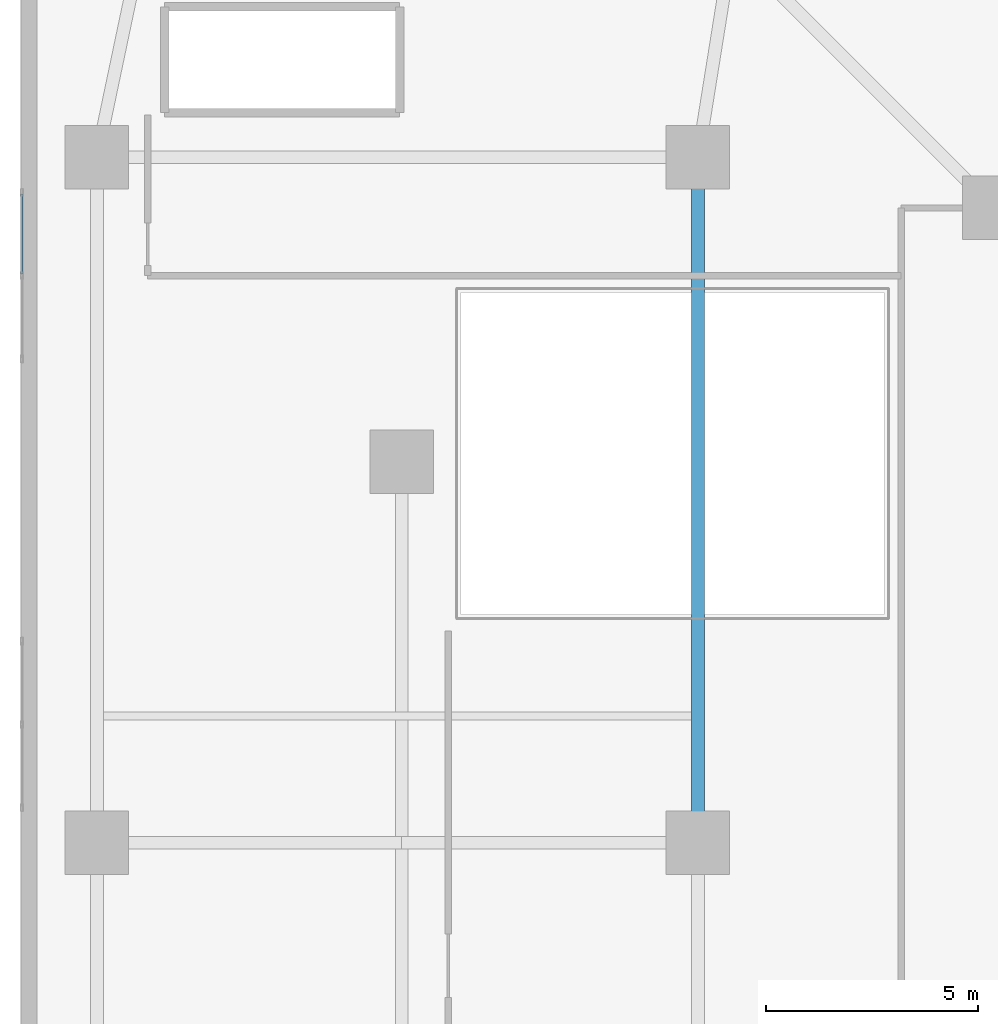
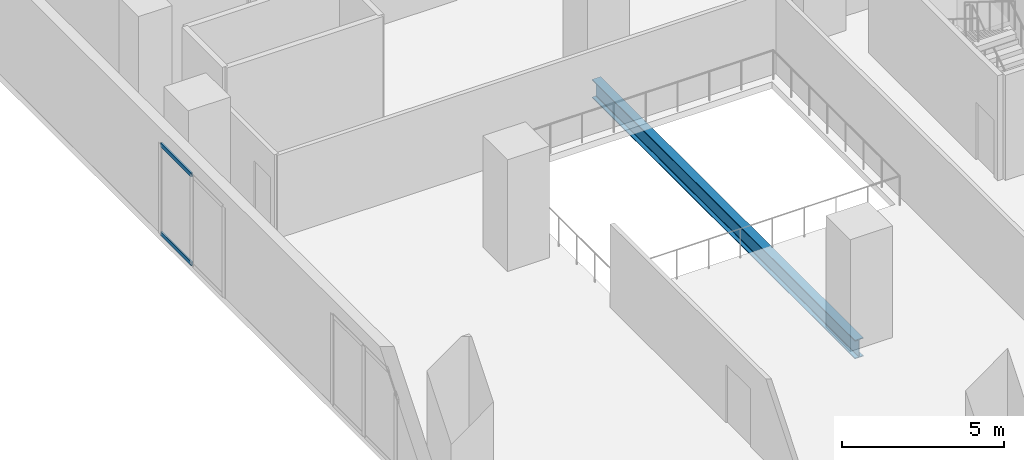
# One storey, part 5 of 14: 2 members, 1 beam, 1 element without a shape of its own.
"""IFC4 building model written with IfcOpenShell, lengths in metres."""

import ifcopenshell
import ifcopenshell.guid

model = None  # the IFC model being written
_history = None  # IfcOwnerHistory: only IFC2X3 demands one
_inside = {}  # id of a spatial element -> (the spatial element, [elements in it])
_under = {}  # id of a project, library or spatial element -> (it, [spatial elements below it])
_declared = {}  # id of a project -> (the project, [libraries it declares])
_typed = {}  # id of a type object -> (the type object, [elements of that type])
_made_of = {}  # id of a material, layer set ... -> (it, [elements and type objects made of it])


def new_model(schema):
    """Start an empty IFC model of exactly this schema.

    Asked for "IFC4X3", IfcOpenShell would pick the latest addendum, in which some entities
    have other attributes; the version numbers below select the first issue.
    IFC2X3 requires an IfcOwnerHistory on every rooted entity: one is made here for all.
    """
    global model, _history
    if schema == "IFC4X3":
        model = ifcopenshell.file(schema_version=(4, 3, 0, 0))
    else:
        model = ifcopenshell.file(schema=schema)
    _inside.clear()
    _under.clear()
    _declared.clear()
    _typed.clear()
    _made_of.clear()
    _history = None
    if model.schema == "IFC2X3":
        org = make("IfcOrganization", Name="unknown")
        user = make(
            "IfcPersonAndOrganization",
            ThePerson=make("IfcPerson", FamilyName="unknown"),
            TheOrganization=org,
        )
        app = make(
            "IfcApplication",
            ApplicationDeveloper=org,
            Version="unknown",
            ApplicationFullName="unknown",
            ApplicationIdentifier="unknown",
        )
        _history = make(
            "IfcOwnerHistory",
            OwningUser=user,
            OwningApplication=app,
            ChangeAction="ADDED",
            CreationDate=0,
        )
    return model


def make(cls, **values):
    """One entity of the class cls with the attributes given. An attribute that is None is left unset."""
    return model.create_entity(
        cls, **{name: value for name, value in values.items() if value is not None}
    )


def rooted(cls, **values):
    """An entity with a GlobalId (a new one), such as an element, a storey or a relation."""
    return make(cls, GlobalId=ifcopenshell.guid.new(), OwnerHistory=_history, **values)


def si_unit(unit_type, name, prefix=None):
    """IfcSIUnit, for example si_unit("LENGTHUNIT", "METRE", prefix="MILLI")."""
    return make("IfcSIUnit", UnitType=unit_type, Prefix=prefix, Name=name)


def assignment(units):
    """IfcUnitAssignment: the units of a project."""
    return None if units is None else make("IfcUnitAssignment", Units=units)


def point(xyz):
    """IfcCartesianPoint."""
    return None if xyz is None else make("IfcCartesianPoint", Coordinates=xyz)


def direction(xyz):
    """IfcDirection."""
    return None if xyz is None else make("IfcDirection", DirectionRatios=xyz)


def frame(location, z_axis=None, x_axis=None):
    """IfcAxis2Placement3D, a coordinate frame: its origin and axes. An axis left out is left unset."""
    return make(
        "IfcAxis2Placement3D",
        Location=point(location),
        Axis=direction(z_axis),
        RefDirection=direction(x_axis),
    )


def frame_2d(location, x_axis=None):
    """IfcAxis2Placement2D, a coordinate frame in the plane: its origin and x axis."""
    return make(
        "IfcAxis2Placement2D", Location=point(location), RefDirection=direction(x_axis)
    )


def origin():
    """The frame at (0, 0, 0) with its axes left unset."""
    return frame((0.0, 0.0, 0.0))


def origin_2d():
    """The frame at (0, 0) in the plane with its x axis left unset."""
    return frame_2d((0.0, 0.0))


def place(relative_to, where):
    """IfcLocalPlacement: puts the frame where relative to a parent placement (None: the world)."""
    return make(
        "IfcLocalPlacement", PlacementRelTo=relative_to, RelativePlacement=where
    )


def context(
    kind, dimensions, precision=None, world=None, true_north=None, identifier=None
):
    """IfcGeometricRepresentationContext, for example the 3D "Model" context."""
    return make(
        "IfcGeometricRepresentationContext",
        ContextIdentifier=identifier,
        ContextType=kind,
        CoordinateSpaceDimension=dimensions,
        Precision=precision,
        WorldCoordinateSystem=world,
        TrueNorth=true_north,
    )


def subcontext(parent, identifier, kind, view, scale=None):
    """IfcGeometricRepresentationSubContext, for example "Body" below "Model"."""
    return make(
        "IfcGeometricRepresentationSubContext",
        ContextIdentifier=identifier,
        ContextType=kind,
        ParentContext=parent,
        TargetScale=scale,
        TargetView=view,
    )


def project(units=None, contexts=None):
    """IfcProject with its units and contexts."""
    return rooted(
        "IfcProject",
        Name="project",
        RepresentationContexts=contexts,
        UnitsInContext=assignment(units),
    )


def spatial(cls, under=None, at=None, **own):
    """A site, building, storey or space (cls), placed at a placement, below another one or the project."""
    s = rooted(cls, ObjectPlacement=at, **own)
    if under is not None:
        _under.setdefault(under.id(), (under, []))[1].append(s)
    return s


def profile(cls, at=None, kind="AREA", **sizes):
    """A parametric profile (cls). Its sizes go by their IFC names, for example OverallWidth=200.0."""
    return make(cls, ProfileType=kind, Position=at, **sizes)


def hollow_rectangle(**sizes):
    """IfcRectangleHollowProfileDef."""
    return profile("IfcRectangleHollowProfileDef", **sizes)


def i_section(**sizes):
    """IfcIShapeProfileDef."""
    return profile("IfcIShapeProfileDef", **sizes)


def extrude(swept, where, along, depth):
    """IfcExtrudedAreaSolid: the profile swept, set in the frame where, extruded along a direction by depth."""
    return make(
        "IfcExtrudedAreaSolid",
        SweptArea=swept,
        Position=where,
        ExtrudedDirection=direction(along),
        Depth=depth,
    )


def shape(context_of_items, identifier, shape_type, items):
    """IfcShapeRepresentation: the items that make up one representation, for example the "Body"."""
    return make(
        "IfcShapeRepresentation",
        ContextOfItems=context_of_items,
        RepresentationIdentifier=identifier,
        RepresentationType=shape_type,
        Items=items,
    )


def material(Name=None, Category=None):
    """IfcMaterial."""
    return make("IfcMaterial", Name=Name, Category=Category)


def material_profile(
    of_material, cross_section, Name=None, Category=None, Priority=None
):
    """IfcMaterialProfile: a cross section and its material."""
    return make(
        "IfcMaterialProfile",
        Name=Name,
        Material=of_material,
        Profile=cross_section,
        Priority=Priority,
        Category=Category,
    )


def profile_set(profiles, Name=None, composite=None):
    """IfcMaterialProfileSet."""
    return make(
        "IfcMaterialProfileSet",
        Name=Name,
        MaterialProfiles=profiles,
        CompositeProfile=composite,
    )


def made_of(thing, what):
    """Note that an element or type object is made of a material, layer set ...; save() writes the relation."""
    if what is not None:
        _made_of.setdefault(what.id(), (what, []))[1].append(thing)
    return thing


def type_object(cls, material=None, **own):
    """A type object (cls), such as IfcWallType, which elements share."""
    return made_of(rooted(cls, **own), material)


def element(
    cls,
    number,
    at=None,
    inside=None,
    cuts=None,
    type_object=None,
    material=None,
    context=None,
    identifier="Body",
    shape_type=None,
    held_by="IfcProductDefinitionShape",
    body=None,
    shapes=None,
    **own,
):
    """One element of the class cls, such as IfcWall. Its Tag is "e" and its number.

    at: its placement. inside: the storey or other place that contains it. cuts: it is an
    opening in that element (IfcRelVoidsElement). A single representation is given by context,
    identifier, shape_type and body (its items); several are given by shapes. held_by: the class
    of the entity that holds the representations. save() writes the other relations.
    """
    e = rooted(cls, Tag="e%d" % number, ObjectPlacement=at, **own)
    if body is not None:
        shapes = [shape(context, identifier, shape_type, body)]
    if shapes is not None:
        e.Representation = make(held_by, Representations=shapes)
    if inside is not None:
        _inside.setdefault(inside.id(), (inside, []))[1].append(e)
    if cuts is not None:
        rooted(
            "IfcRelVoidsElement", RelatingBuildingElement=cuts, RelatedOpeningElement=e
        )
    if type_object is not None:
        _typed.setdefault(type_object.id(), (type_object, []))[1].append(e)
    return made_of(e, material)


def aggregate(whole, parts):
    """IfcRelAggregates: a whole, such as a stair, and the parts it consists of."""
    return rooted("IfcRelAggregates", RelatingObject=whole, RelatedObjects=parts)


def save(model, path):
    """Write the relations noted so far, then the file.

    IfcRelAggregates (storeys below a building ...), IfcRelContainedInSpatialStructure (elements
    in a storey), IfcRelDefinesByType, IfcRelAssociatesMaterial and IfcRelDeclares: one each for
    every whole, place, type object, material and project.
    """
    for whole, parts in _under.values():
        aggregate(whole, parts)
    for where, things in _inside.values():
        rooted(
            "IfcRelContainedInSpatialStructure",
            RelatedElements=things,
            RelatingStructure=where,
        )
    for kind, things in _typed.values():
        rooted("IfcRelDefinesByType", RelatedObjects=things, RelatingType=kind)
    for what, things in _made_of.values():
        rooted("IfcRelAssociatesMaterial", RelatedObjects=things, RelatingMaterial=what)
    for by, libraries in _declared.values():
        rooted("IfcRelDeclares", RelatingContext=by, RelatedDefinitions=libraries)
    model.write(path)


model = new_model("IFC4")

# Units and contexts
model_context = context("Model", 3, precision=1e-05, world=origin(), true_north=direction((0.0, 1.0)))
body_context = subcontext(model_context, "Body", "Model", "MODEL_VIEW")
ifc_project = project(units=[si_unit("LENGTHUNIT", "METRE"), si_unit("AREAUNIT", "SQUARE_METRE"), si_unit("VOLUMEUNIT", "CUBIC_METRE"), si_unit("PLANEANGLEUNIT", "RADIAN"), si_unit("MASSUNIT", "GRAM", prefix="KILO")], contexts=[model_context])

# Site, building, storey
site_placement = place(None, origin())
site = spatial("IfcSite", under=ifc_project, at=site_placement, CompositionType="ELEMENT")
building_placement = place(site_placement, origin())
building = spatial("IfcBuilding", under=site, at=building_placement, Name="Kuzgunbayir Cultural Tower", CompositionType="ELEMENT")
storey_placement = place(building_placement, frame((0.0, 0.0, 8.800048828125)))
storey = spatial("IfcBuildingStorey", under=building, at=storey_placement, Name="L02", CompositionType="ELEMENT", Elevation=8.800048828125)

# Beam
ifc_material_1 = material(Name="Steel S355J2", Category="steel")
ifc_material_profile_1 = material_profile(ifc_material_1, i_section(OverallWidth=0.300048828125, OverallDepth=0.699951171875, WebThickness=0.01708984375, FlangeThickness=0.031982421875, FilletRadius=0.027099609375, at=origin_2d()), Name="HEB 700")
ifc_profile_set_1 = profile_set([ifc_material_profile_1], Name="Steel S355J2")
beam_type = type_object("IfcBeamType", Name="BM-GIR-HEB700", PredefinedType="BEAM", material=ifc_profile_set_1)
beam_placement = place(storey_placement, frame((19.60009765625, 12.60009765625, -0.60009765625), z_axis=(0.0, 1.0, 0.0), x_axis=(-1.0, 0.0, 0.0)))
element("IfcBeam", 1, at=beam_placement, inside=storey, type_object=beam_type, Name="L02 Podium Primary Girder 5", PredefinedType="BEAM", context=body_context, shape_type="SweptSolid", body=[
    extrude(i_section(OverallWidth=0.300048828125, OverallDepth=0.699951171875, WebThickness=0.01708984375, FlangeThickness=0.031982421875, FilletRadius=0.027099609375, at=origin_2d()), origin(), (0.0, 0.0, 1.0), 16.199951171875),
])

# Curtain wall, members
ifc_material_2 = material(Name="Anodised Aluminium Framing", Category="aluminium")
curtain_wall_type = type_object("IfcCurtainWallType", Name="CW01-POD-FOYER", PredefinedType="NOTDEFINED", material=ifc_material_2)
curtain_wall_placement = place(storey_placement, origin())
curtain_wall = element("IfcCurtainWall", 2, at=curtain_wall_placement, inside=storey, type_object=curtain_wall_type, Name="L02 Civic Foyer Curtain Wall North", PredefinedType="NOTDEFINED")
ifc_material_profile_2 = material_profile(ifc_material_2, hollow_rectangle(XDim=0.06005859375, YDim=0.14990234375, WallThickness=0.00390625, at=origin_2d()), Name="RHS 150x60x4")
ifc_profile_set_2 = profile_set([ifc_material_profile_2], Name="Anodised Aluminium Framing")
member_type = type_object("IfcMemberType", Name="MEM-CW-TRANSOM-150", PredefinedType="USERDEFINED", material=ifc_profile_set_2)
member_1_placement = place(storey_placement, frame((3.6201171875, 26.03759765625, 0.030029296875), z_axis=(0.0, 1.0, 0.0), x_axis=(-1.0, 0.0, 0.0)))
member_1 = element("IfcMember", 3, at=member_1_placement, type_object=member_type, Name="CW01 transom 2.1", ObjectType="TRANSOM", PredefinedType="USERDEFINED", context=body_context, shape_type="SweptSolid", body=[
    extrude(hollow_rectangle(XDim=0.06005859375, YDim=0.14990234375, WallThickness=0.00390625, at=origin_2d()), origin(), (0.0, 0.0, 1.0), 1.887451171875),
])
member_2_placement = place(storey_placement, frame((3.6201171875, 26.03759765625, 3.369873046875), z_axis=(0.0, 1.0, 0.0), x_axis=(-1.0, 0.0, 0.0)))
member_2 = element("IfcMember", 4, at=member_2_placement, type_object=member_type, Name="CW01 transom 2.2", ObjectType="TRANSOM", PredefinedType="USERDEFINED", context=body_context, shape_type="SweptSolid", body=[
    extrude(hollow_rectangle(XDim=0.06005859375, YDim=0.14990234375, WallThickness=0.00390625, at=origin_2d()), origin(), (0.0, 0.0, 1.0), 1.887451171875),
])
aggregate(curtain_wall, [member_1, member_2])

save(model, "model.ifc")
